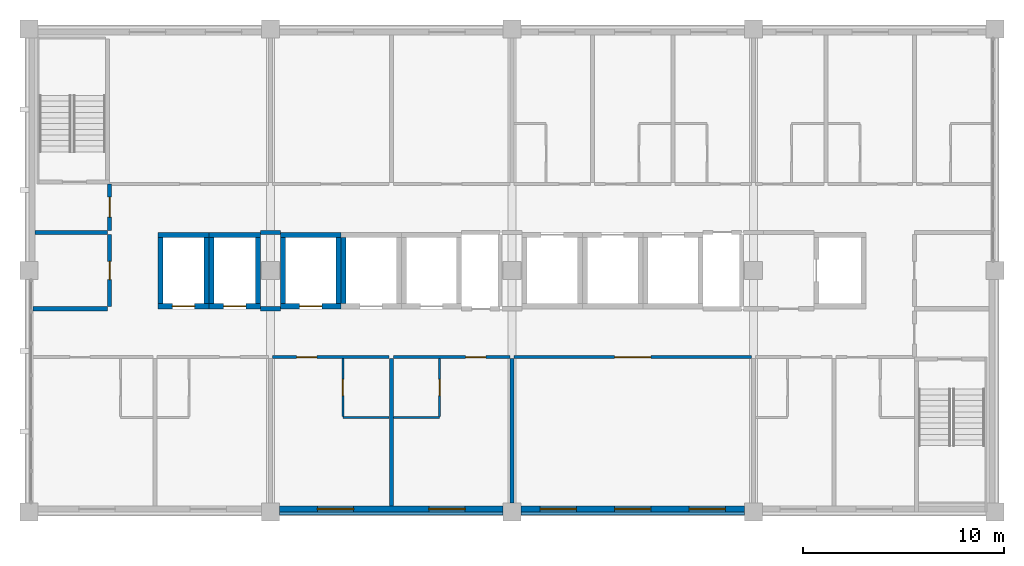
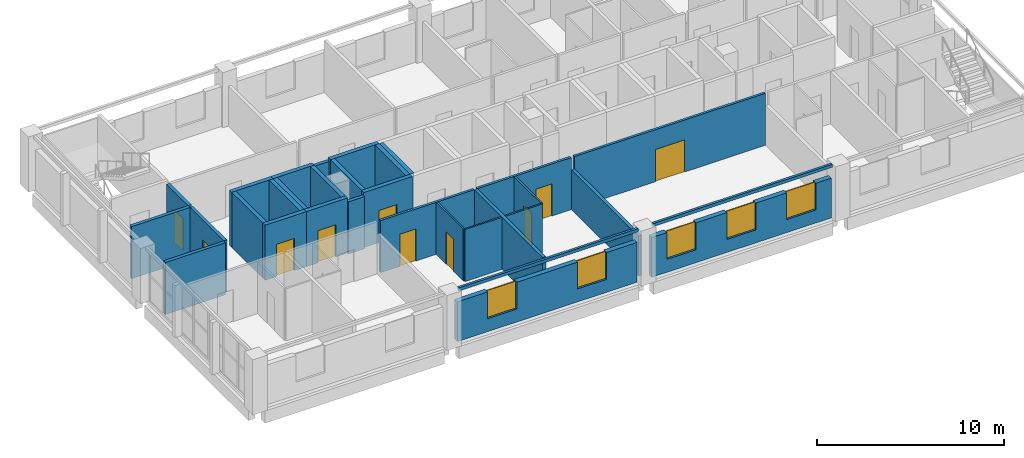
# One storey, part 6 of 11: 32 walls, 10 doors, 5 windows, 15 openings.
"""IFC4 building model written with IfcOpenShell, lengths in metres."""

from ifc_helpers import new_model, si_unit, direction, frame, frame_2d, origin, place, context, subcontext, project, spatial, rectangle, extrude, material, layer, layer_set, type_object, element, fill, save


model = new_model("IFC4")

# Units and contexts
model_context = context("Model", 3, precision=1e-05, world=origin(), true_north=direction((0.0, 1.0)))
body_context = subcontext(model_context, "Body", "Model", "MODEL_VIEW")
ifc_project = project(units=[si_unit("LENGTHUNIT", "METRE"), si_unit("AREAUNIT", "SQUARE_METRE"), si_unit("VOLUMEUNIT", "CUBIC_METRE"), si_unit("PLANEANGLEUNIT", "RADIAN"), si_unit("MASSUNIT", "GRAM", prefix="KILO")], contexts=[model_context])

# Site, building, storey
site_placement = place(None, origin())
site = spatial("IfcSite", under=ifc_project, at=site_placement, CompositionType="ELEMENT")
building_placement = place(site_placement, origin())
building = spatial("IfcBuilding", under=site, at=building_placement, Name="Lilac Gate Convention Centre", CompositionType="ELEMENT")
storey_placement = place(building_placement, frame((0.0, 0.0, 31.800048828125)))
storey = spatial("IfcBuildingStorey", under=building, at=storey_placement, Name="L07", CompositionType="ELEMENT", Elevation=31.800048828125)

# Wall, opening, door
ifc_material_1 = material(Name="Concrete C50", Category="concrete")
ifc_layer_1 = layer(ifc_material_1, 0.25)
ifc_layer_set_1 = layer_set([ifc_layer_1], Name="Concrete C50")
wall_type_1 = type_object("IfcWallType", Name="Core wall 250 C50", PredefinedType="SHEAR", material=ifc_layer_set_1)
wall_1_placement = place(storey_placement, frame((54.5, 232.22509765625, 0.0), z_axis=(0.0, 0.0, 1.0), x_axis=(1.0, 0.0, 0.0)))
wall_1 = element("IfcWall", 1, at=wall_1_placement, inside=storey, type_object=wall_type_1, Name="CRW4 core wall TC L07 1", PredefinedType="SHEAR", context=body_context, shape_type="SweptSolid", body=[
    extrude(rectangle(XDim=3.0, YDim=0.25, at=frame_2d((1.5, 0.0))), origin(), (0.0, 0.0, 1.0), 3.599853515625),
])
opening_1_placement = place(wall_1_placement, frame((0.949951171875, 0.0, 0.0)))
opening_1 = element("IfcOpeningElement", 2, at=opening_1_placement, cuts=wall_1, Name="Opening T07-036", PredefinedType="OPENING", context=body_context, shape_type="SweptSolid", body=[
    extrude(rectangle(XDim=1.10009765625, YDim=2.10009765625, at=frame_2d((0.550048828125, 1.050048828125))), frame((0.0, 0.135009765625, 0.0), z_axis=(0.0, -1.0, 0.0), x_axis=(1.0, 0.0, 0.0)), (0.0, 0.0, 1.0), 0.27001953125),
])
ifc_material_2 = material(Name="Stainless steel 304", Category="steel")
door_type_1 = type_object("IfcDoorType", Name="Lift landing door 1100", OperationType="SLIDING_TO_LEFT", PredefinedType="DOOR", material=ifc_material_2)
door_1_placement = place(opening_1_placement, origin())
door_1 = element("IfcDoor", 3, at=door_1_placement, inside=storey, type_object=door_type_1, Name="Lift landing door TP1 L07", OperationType="SLIDING_TO_LEFT", OverallHeight=2.10009765625, OverallWidth=1.10009765625, PredefinedType="DOOR", context=body_context, shape_type="SweptSolid", body=[
    extrude(rectangle(XDim=1.10009765625, YDim=2.10009765625, at=frame_2d((0.550048828125, 1.050048828125))), frame((0.0, 0.02490234375, 0.0), z_axis=(0.0, -1.0, 0.0), x_axis=(1.0, 0.0, 0.0)), (0.0, 0.0, 1.0), 0.050048828125),
])
fill(opening_1, door_1)

# Walls
wall_2_placement = place(storey_placement, frame((54.5, 235.77490234375, 0.0), z_axis=(0.0, 0.0, 1.0), x_axis=(1.0, 0.0, 0.0)))
element("IfcWall", 4, at=wall_2_placement, inside=storey, type_object=wall_type_1, Name="CRW4 core wall TC L07 2", PredefinedType="SHEAR", context=body_context, shape_type="SweptSolid", body=[
    extrude(rectangle(XDim=3.0, YDim=0.25, at=frame_2d((1.5, 0.0))), origin(), (0.0, 0.0, 1.0), 3.599853515625),
])
for number, where, z_axis, x_axis, name in (
    (5, (54.625, 232.35009765625, 0.0), (0.0, 0.0, 1.0), (0.0, 1.0, 0.0), "CRW4 core wall TC L07 3"),
    (6, (57.375, 232.35009765625, 0.0), (0.0, 0.0, 1.0), (0.0, 1.0, 0.0), "CRW4 core wall TC L07 4"),
    (7, (57.625, 232.35009765625, 0.0), (0.0, 0.0, 1.0), (0.0, 1.0, 0.0), "CRW4 core wall TC L07 7"),
):
    element("IfcWall", number, at=place(storey_placement, frame(where, z_axis=z_axis, x_axis=x_axis)), inside=storey, type_object=wall_type_1, Name=name, PredefinedType="SHEAR", context=body_context, shape_type="SweptSolid", body=[
        extrude(rectangle(XDim=3.2998046875, YDim=0.25, at=frame_2d((1.64990234375, 0.0))), origin(), (0.0, 0.0, 1.0), 3.599853515625),
    ])

# Wall, opening, door
wall_3_placement = place(storey_placement, frame((48.39990234375, 232.22509765625, 0.0), z_axis=(0.0, 0.0, 1.0), x_axis=(1.0, 0.0, 0.0)))
wall_3 = element("IfcWall", 8, at=wall_3_placement, inside=storey, type_object=wall_type_1, Name="CRW4 core wall TC L07 25", PredefinedType="SHEAR", context=body_context, shape_type="SweptSolid", body=[
    extrude(rectangle(XDim=2.550048828125, YDim=0.25, at=frame_2d((1.27490234375, 0.0))), origin(), (0.0, 0.0, 1.0), 3.599853515625),
])
opening_2_placement = place(wall_3_placement, frame((0.72509765625, 0.0, 0.0)))
opening_2 = element("IfcOpeningElement", 9, at=opening_2_placement, cuts=wall_3, Name="Opening T07-042", PredefinedType="OPENING", context=body_context, shape_type="SweptSolid", body=[
    extrude(rectangle(XDim=1.10009765625, YDim=2.10009765625, at=frame_2d((0.550048828125, 1.050048828125))), frame((0.0, 0.135009765625, 0.0), z_axis=(0.0, -1.0, 0.0), x_axis=(1.0, 0.0, 0.0)), (0.0, 0.0, 1.0), 0.27001953125),
])
door_2_placement = place(opening_2_placement, origin())
door_2 = element("IfcDoor", 10, at=door_2_placement, inside=storey, type_object=door_type_1, Name="Lift landing door TS1 L07", OperationType="SLIDING_TO_LEFT", OverallHeight=2.10009765625, OverallWidth=1.10009765625, PredefinedType="DOOR", context=body_context, shape_type="SweptSolid", body=[
    extrude(rectangle(XDim=1.10009765625, YDim=2.10009765625, at=frame_2d((0.550048828125, 1.050048828125))), frame((0.0, 0.02490234375, 0.0), z_axis=(0.0, -1.0, 0.0), x_axis=(1.0, 0.0, 0.0)), (0.0, 0.0, 1.0), 0.050048828125),
])
fill(opening_2, door_2)

# Walls
wall_4_placement = place(storey_placement, frame((48.39990234375, 235.77490234375, 0.0), z_axis=(0.0, 0.0, 1.0), x_axis=(1.0, 0.0, 0.0)))
element("IfcWall", 11, at=wall_4_placement, inside=storey, type_object=wall_type_1, Name="CRW4 core wall TC L07 26", PredefinedType="SHEAR", context=body_context, shape_type="SweptSolid", body=[
    extrude(rectangle(XDim=2.550048828125, YDim=0.25, at=frame_2d((1.27490234375, 0.0))), origin(), (0.0, 0.0, 1.0), 3.599853515625),
])
for number, where, z_axis, x_axis, name in (
    (12, (48.52490234375, 232.35009765625, 0.0), (0.0, 0.0, 1.0), (0.0, 1.0, 0.0), "CRW4 core wall TC L07 27"),
    (13, (50.824951171875, 232.35009765625, 0.0), (0.0, 0.0, 1.0), (0.0, 1.0, 0.0), "CRW4 core wall TC L07 28"),
):
    element("IfcWall", number, at=place(storey_placement, frame(where, z_axis=z_axis, x_axis=x_axis)), inside=storey, type_object=wall_type_1, Name=name, PredefinedType="SHEAR", context=body_context, shape_type="SweptSolid", body=[
        extrude(rectangle(XDim=3.2998046875, YDim=0.25, at=frame_2d((1.64990234375, 0.0))), origin(), (0.0, 0.0, 1.0), 3.599853515625),
    ])

# Wall, opening, door
wall_5_placement = place(storey_placement, frame((50.949951171875, 232.22509765625, 0.0), z_axis=(0.0, 0.0, 1.0), x_axis=(1.0, 0.0, 0.0)))
wall_5 = element("IfcWall", 14, at=wall_5_placement, inside=storey, type_object=wall_type_1, Name="CRW4 core wall TC L07 29", PredefinedType="SHEAR", context=body_context, shape_type="SweptSolid", body=[
    extrude(rectangle(XDim=2.550048828125, YDim=0.25, at=frame_2d((1.27490234375, 0.0))), origin(), (0.0, 0.0, 1.0), 3.599853515625),
])
opening_3_placement = place(wall_5_placement, frame((0.72509765625, 0.0, 0.0)))
opening_3 = element("IfcOpeningElement", 15, at=opening_3_placement, cuts=wall_5, Name="Opening T07-043", PredefinedType="OPENING", context=body_context, shape_type="SweptSolid", body=[
    extrude(rectangle(XDim=1.10009765625, YDim=2.10009765625, at=frame_2d((0.550048828125, 1.050048828125))), frame((0.0, 0.135009765625, 0.0), z_axis=(0.0, -1.0, 0.0), x_axis=(1.0, 0.0, 0.0)), (0.0, 0.0, 1.0), 0.27001953125),
])
door_3_placement = place(opening_3_placement, origin())
door_3 = element("IfcDoor", 16, at=door_3_placement, inside=storey, type_object=door_type_1, Name="Lift landing door TS2 L07", OperationType="SLIDING_TO_LEFT", OverallHeight=2.10009765625, OverallWidth=1.10009765625, PredefinedType="DOOR", context=body_context, shape_type="SweptSolid", body=[
    extrude(rectangle(XDim=1.10009765625, YDim=2.10009765625, at=frame_2d((0.550048828125, 1.050048828125))), frame((0.0, 0.02490234375, 0.0), z_axis=(0.0, -1.0, 0.0), x_axis=(1.0, 0.0, 0.0)), (0.0, 0.0, 1.0), 0.050048828125),
])
fill(opening_3, door_3)

# Walls
wall_6_placement = place(storey_placement, frame((50.949951171875, 235.77490234375, 0.0), z_axis=(0.0, 0.0, 1.0), x_axis=(1.0, 0.0, 0.0)))
element("IfcWall", 17, at=wall_6_placement, inside=storey, type_object=wall_type_1, Name="CRW4 core wall TC L07 30", PredefinedType="SHEAR", context=body_context, shape_type="SweptSolid", body=[
    extrude(rectangle(XDim=2.550048828125, YDim=0.25, at=frame_2d((1.27490234375, 0.0))), origin(), (0.0, 0.0, 1.0), 3.599853515625),
])
for number, where, z_axis, x_axis, name in (
    (18, (51.074951171875, 232.35009765625, 0.0), (0.0, 0.0, 1.0), (0.0, 1.0, 0.0), "CRW4 core wall TC L07 31"),
    (19, (53.375, 232.35009765625, 0.0), (0.0, 0.0, 1.0), (0.0, 1.0, 0.0), "CRW4 core wall TC L07 32"),
):
    element("IfcWall", number, at=place(storey_placement, frame(where, z_axis=z_axis, x_axis=x_axis)), inside=storey, type_object=wall_type_1, Name=name, PredefinedType="SHEAR", context=body_context, shape_type="SweptSolid", body=[
        extrude(rectangle(XDim=3.2998046875, YDim=0.25, at=frame_2d((1.64990234375, 0.0))), origin(), (0.0, 0.0, 1.0), 3.599853515625),
    ])

# Wall, opening, door
ifc_material_3 = material(Name="Gypsum board on steel stud", Category="steel")
ifc_layer_2 = layer(ifc_material_3, 0.14990234375)
ifc_layer_set_2 = layer_set([ifc_layer_2], Name="Gypsum board on steel stud")
wall_type_2 = type_object("IfcWallType", Name="Corridor wall 150", PredefinedType="PARTITIONING", material=ifc_layer_set_2)
wall_7_placement = place(storey_placement, frame((59.89990234375, 229.699951171875, 0.0), z_axis=(0.0, 0.0, 1.0), x_axis=(-1.0, 0.0, 0.0)))
wall_7 = element("IfcWall", 20, at=wall_7_placement, inside=storey, type_object=wall_type_2, Name="Corridor wall 150 front 0703", PredefinedType="PARTITIONING", context=body_context, shape_type="SweptSolid", body=[
    extrude(rectangle(XDim=5.7998046875, YDim=0.14990234375, at=frame_2d((2.89990234375, 0.0))), origin(), (0.0, 0.0, 1.0), 3.39990234375),
])
opening_4_placement = place(wall_7_placement, frame((3.60009765625, 0.0, 0.0)))
opening_4 = element("IfcOpeningElement", 21, at=opening_4_placement, cuts=wall_7, Name="Opening T07-012", PredefinedType="OPENING", context=body_context, shape_type="SweptSolid", body=[
    extrude(rectangle(XDim=1.0, YDim=2.10009765625, at=frame_2d((0.5, 1.050048828125))), frame((0.0, 0.0849609375, 0.0), z_axis=(0.0, -1.0, 0.0), x_axis=(1.0, 0.0, 0.0)), (0.0, 0.0, 1.0), 0.169921875),
])
ifc_material_4 = material(Name="Timber", Category="wood")
door_type_2 = type_object("IfcDoorType", Name="Guest room entrance door 1000", OperationType="SINGLE_SWING_LEFT", PredefinedType="DOOR", material=ifc_material_4)
door_4_placement = place(opening_4_placement, origin())
door_4 = element("IfcDoor", 22, at=door_4_placement, inside=storey, type_object=door_type_2, Name="Guest room door 0703", OperationType="SINGLE_SWING_RIGHT", OverallHeight=2.10009765625, OverallWidth=1.0, PredefinedType="DOOR", context=body_context, shape_type="SweptSolid", body=[
    extrude(rectangle(XDim=1.0, YDim=2.10009765625, at=frame_2d((0.5, 1.050048828125))), frame((0.0, 0.02490234375, 0.0), z_axis=(0.0, -1.0, 0.0), x_axis=(1.0, 0.0, 0.0)), (0.0, 0.0, 1.0), 0.050048828125),
])
fill(opening_4, door_4)

wall_8_placement = place(storey_placement, frame((65.89990234375, 229.699951171875, 0.0), z_axis=(0.0, 0.0, 1.0), x_axis=(-1.0, 0.0, 0.0)))
wall_8 = element("IfcWall", 23, at=wall_8_placement, inside=storey, type_object=wall_type_2, Name="Corridor wall 150 front 0704", PredefinedType="PARTITIONING", context=body_context, shape_type="SweptSolid", body=[
    extrude(rectangle(XDim=5.7998046875, YDim=0.14990234375, at=frame_2d((2.89990234375, 0.0))), origin(), (0.0, 0.0, 1.0), 3.39990234375),
])
opening_5_placement = place(wall_8_placement, frame((1.199951171875, 0.0, 0.0)))
opening_5 = element("IfcOpeningElement", 24, at=opening_5_placement, cuts=wall_8, Name="Opening T07-014", PredefinedType="OPENING", context=body_context, shape_type="SweptSolid", body=[
    extrude(rectangle(XDim=1.0, YDim=2.10009765625, at=frame_2d((0.5, 1.050048828125))), frame((0.0, 0.0849609375, 0.0), z_axis=(0.0, -1.0, 0.0), x_axis=(1.0, 0.0, 0.0)), (0.0, 0.0, 1.0), 0.169921875),
])
door_5_placement = place(opening_5_placement, origin())
door_5 = element("IfcDoor", 25, at=door_5_placement, inside=storey, type_object=door_type_2, Name="Guest room door 0704", OperationType="SINGLE_SWING_LEFT", OverallHeight=2.10009765625, OverallWidth=1.0, PredefinedType="DOOR", context=body_context, shape_type="SweptSolid", body=[
    extrude(rectangle(XDim=1.0, YDim=2.10009765625, at=frame_2d((0.5, 1.050048828125))), frame((0.0, 0.02490234375, 0.0), z_axis=(0.0, -1.0, 0.0), x_axis=(1.0, 0.0, 0.0)), (0.0, 0.0, 1.0), 0.050048828125),
])
fill(opening_5, door_5)

wall_9_placement = place(storey_placement, frame((77.89990234375, 229.699951171875, 0.0), z_axis=(0.0, 0.0, 1.0), x_axis=(-1.0, 0.0, 0.0)))
wall_9 = element("IfcWall", 26, at=wall_9_placement, inside=storey, type_object=wall_type_2, Name="Corridor wall 150 front 0705", PredefinedType="PARTITIONING", context=body_context, shape_type="SweptSolid", body=[
    extrude(rectangle(XDim=11.7998046875, YDim=0.14990234375, at=frame_2d((5.89990234375, 0.0))), origin(), (0.0, 0.0, 1.0), 3.39990234375),
])
opening_6_placement = place(wall_9_placement, frame((5.0, 0.0, 0.0)))
opening_6 = element("IfcOpeningElement", 27, at=opening_6_placement, cuts=wall_9, Name="Opening T07-016", PredefinedType="OPENING", context=body_context, shape_type="SweptSolid", body=[
    extrude(rectangle(XDim=1.800048828125, YDim=2.10009765625, at=frame_2d((0.89990234375, 1.050048828125))), frame((0.0, 0.0849609375, 0.0), z_axis=(0.0, -1.0, 0.0), x_axis=(1.0, 0.0, 0.0)), (0.0, 0.0, 1.0), 0.169921875),
])
door_type_3 = type_object("IfcDoorType", Name="Double room door 1800", OperationType="DOUBLE_DOOR_SINGLE_SWING", PredefinedType="DOOR", material=ifc_material_4)
door_6_placement = place(opening_6_placement, origin())
door_6 = element("IfcDoor", 28, at=door_6_placement, inside=storey, type_object=door_type_3, Name="Club Lounge door", OperationType="DOUBLE_DOOR_SINGLE_SWING", OverallHeight=2.10009765625, OverallWidth=1.800048828125, PredefinedType="DOOR", context=body_context, shape_type="SweptSolid", body=[
    extrude(rectangle(XDim=1.800048828125, YDim=2.10009765625, at=frame_2d((0.89990234375, 1.050048828125))), frame((0.0, 0.02490234375, 0.0), z_axis=(0.0, -1.0, 0.0), x_axis=(1.0, 0.0, 0.0)), (0.0, 0.0, 1.0), 0.050048828125),
])
fill(opening_6, door_6)

# Wall
ifc_layer_3 = layer(ifc_material_3, 0.10009765625)
ifc_layer_set_3 = layer_set([ifc_layer_3], Name="Gypsum board on steel stud")
wall_type_3 = type_object("IfcWallType", Name="En-suite wall 100", PredefinedType="PARTITIONING", material=ifc_layer_set_3)
wall_10_placement = place(storey_placement, frame((57.60009765625, 226.699951171875, 0.0), z_axis=(0.0, 0.0, 1.0), x_axis=(1.0, 0.0, 0.0)))
element("IfcWall", 29, at=wall_10_placement, inside=storey, type_object=wall_type_3, Name="En-suite wall 100 bath 0703", PredefinedType="PARTITIONING", context=body_context, shape_type="SweptSolid", body=[
    extrude(rectangle(XDim=2.2998046875, YDim=0.10009765625, at=frame_2d((1.14990234375, 0.0))), origin(), (0.0, 0.0, 1.0), 3.39990234375),
])

# Wall, opening, door
wall_11_placement = place(storey_placement, frame((57.60009765625, 226.75, 0.0), z_axis=(0.0, 0.0, 1.0), x_axis=(0.0, 1.0, 0.0)))
wall_11 = element("IfcWall", 30, at=wall_11_placement, inside=storey, type_object=wall_type_3, Name="En-suite wall 100 bath side 0703", PredefinedType="PARTITIONING", context=body_context, shape_type="SweptSolid", body=[
    extrude(rectangle(XDim=2.875, YDim=0.10009765625, at=frame_2d((1.4375, 0.0))), origin(), (0.0, 0.0, 1.0), 3.39990234375),
])
opening_7_placement = place(wall_11_placement, frame((1.03759765625, 0.0, 0.0)))
opening_7 = element("IfcOpeningElement", 31, at=opening_7_placement, cuts=wall_11, Name="Opening T07-013", PredefinedType="OPENING", context=body_context, shape_type="SweptSolid", body=[
    extrude(rectangle(XDim=0.800048828125, YDim=2.10009765625, at=frame_2d((0.39990234375, 1.050048828125))), frame((0.0, 0.06005859375, 0.0), z_axis=(0.0, -1.0, 0.0), x_axis=(1.0, 0.0, 0.0)), (0.0, 0.0, 1.0), 0.1201171875),
])
door_type_4 = type_object("IfcDoorType", Name="En-suite door 800", OperationType="SINGLE_SWING_LEFT", PredefinedType="DOOR", material=ifc_material_4)
door_7_placement = place(opening_7_placement, origin())
door_7 = element("IfcDoor", 32, at=door_7_placement, inside=storey, type_object=door_type_4, Name="En-suite door 0703", OperationType="SINGLE_SWING_RIGHT", OverallHeight=2.10009765625, OverallWidth=0.800048828125, PredefinedType="DOOR", context=body_context, shape_type="SweptSolid", body=[
    extrude(rectangle(XDim=0.800048828125, YDim=2.10009765625, at=frame_2d((0.39990234375, 1.050048828125))), frame((0.0, 0.02490234375, 0.0), z_axis=(0.0, -1.0, 0.0), x_axis=(1.0, 0.0, 0.0)), (0.0, 0.0, 1.0), 0.050048828125),
])
fill(opening_7, door_7)

# Wall
wall_12_placement = place(storey_placement, frame((60.10009765625, 226.699951171875, 0.0), z_axis=(0.0, 0.0, 1.0), x_axis=(1.0, 0.0, 0.0)))
element("IfcWall", 33, at=wall_12_placement, inside=storey, type_object=wall_type_3, Name="En-suite wall 100 bath 0704", PredefinedType="PARTITIONING", context=body_context, shape_type="SweptSolid", body=[
    extrude(rectangle(XDim=2.2998046875, YDim=0.10009765625, at=frame_2d((1.14990234375, 0.0))), origin(), (0.0, 0.0, 1.0), 3.39990234375),
])

# Wall, opening, door
wall_13_placement = place(storey_placement, frame((62.39990234375, 229.625, 0.0), z_axis=(0.0, 0.0, 1.0), x_axis=(0.0, -1.0, 0.0)))
wall_13 = element("IfcWall", 34, at=wall_13_placement, inside=storey, type_object=wall_type_3, Name="En-suite wall 100 bath side 0704", PredefinedType="PARTITIONING", context=body_context, shape_type="SweptSolid", body=[
    extrude(rectangle(XDim=2.875, YDim=0.10009765625, at=frame_2d((1.4375, 0.0))), origin(), (0.0, 0.0, 1.0), 3.39990234375),
])
opening_8_placement = place(wall_13_placement, frame((1.03759765625, 0.0, 0.0)))
opening_8 = element("IfcOpeningElement", 35, at=opening_8_placement, cuts=wall_13, Name="Opening T07-015", PredefinedType="OPENING", context=body_context, shape_type="SweptSolid", body=[
    extrude(rectangle(XDim=0.800048828125, YDim=2.10009765625, at=frame_2d((0.39990234375, 1.050048828125))), frame((0.0, 0.06005859375, 0.0), z_axis=(0.0, -1.0, 0.0), x_axis=(1.0, 0.0, 0.0)), (0.0, 0.0, 1.0), 0.1201171875),
])
door_8_placement = place(opening_8_placement, origin())
door_8 = element("IfcDoor", 36, at=door_8_placement, inside=storey, type_object=door_type_4, Name="En-suite door 0704", OperationType="SINGLE_SWING_LEFT", OverallHeight=2.10009765625, OverallWidth=0.800048828125, PredefinedType="DOOR", context=body_context, shape_type="SweptSolid", body=[
    extrude(rectangle(XDim=0.800048828125, YDim=2.10009765625, at=frame_2d((0.39990234375, 1.050048828125))), frame((0.0, 0.02490234375, 0.0), z_axis=(0.0, -1.0, 0.0), x_axis=(1.0, 0.0, 0.0)), (0.0, 0.0, 1.0), 0.050048828125),
])
fill(opening_8, door_8)

# Walls
ifc_layer_4 = layer(ifc_material_3, 0.199951171875)
ifc_layer_set_4 = layer_set([ifc_layer_4], Name="Gypsum board on steel stud")
wall_type_4 = type_object("IfcWallType", Name="Guest room party wall 200", PredefinedType="PARTITIONING", material=ifc_layer_set_4)
wall_14_placement = place(storey_placement, frame((60.0, 222.2998046875, 0.0), z_axis=(0.0, 0.0, 1.0), x_axis=(0.0, 1.0, 0.0)))
element("IfcWall", 37, at=wall_14_placement, inside=storey, type_object=wall_type_4, Name="Guest room party wall 200 party 60.0", PredefinedType="PARTITIONING", context=body_context, shape_type="SweptSolid", body=[
    extrude(rectangle(XDim=7.3251953125, YDim=0.199951171875, at=frame_2d((3.66259765625, 0.0))), origin(), (0.0, 0.0, 1.0), 3.39990234375),
])
wall_15_placement = place(storey_placement, frame((66.0, 222.449951171875, 0.0), z_axis=(0.0, 0.0, 1.0), x_axis=(0.0, 1.0, 0.0)))
element("IfcWall", 38, at=wall_15_placement, inside=storey, type_object=wall_type_4, Name="Guest room party wall 200 party 66.0", PredefinedType="PARTITIONING", context=body_context, shape_type="SweptSolid", body=[
    extrude(rectangle(XDim=7.175048828125, YDim=0.199951171875, at=frame_2d((3.58740234375, 0.0))), origin(), (0.0, 0.0, 1.0), 2.599853515625),
])

# Wall, opening, door
ifc_layer_5 = layer(ifc_material_3, 0.199951171875)
ifc_layer_set_5 = layer_set([ifc_layer_5], Name="Gypsum board on steel stud")
wall_type_5 = type_object("IfcWallType", Name="Lobby wall 200", PredefinedType="PARTITIONING", material=ifc_layer_set_5)
wall_16_placement = place(storey_placement, frame((46.0, 236.0, 0.0), z_axis=(0.0, 0.0, 1.0), x_axis=(0.0, 1.0, 0.0)))
wall_16 = element("IfcWall", 39, at=wall_16_placement, inside=storey, type_object=wall_type_5, Name="Lobby wall 200 STL-NW-E", PredefinedType="PARTITIONING", context=body_context, shape_type="SweptSolid", body=[
    extrude(rectangle(XDim=2.300048828125, YDim=0.199951171875, at=frame_2d((1.14990234375, 0.0))), origin(), (0.0, 0.0, 1.0), 3.39990234375),
])
opening_9_placement = place(wall_16_placement, frame((0.64990234375, 0.0, 0.0)))
opening_9 = element("IfcOpeningElement", 40, at=opening_9_placement, cuts=wall_16, Name="Opening T07-006", PredefinedType="OPENING", context=body_context, shape_type="SweptSolid", body=[
    extrude(rectangle(XDim=1.0, YDim=2.10009765625, at=frame_2d((0.5, 1.050048828125))), frame((0.0, 0.10986328125, 0.0), z_axis=(0.0, -1.0, 0.0), x_axis=(1.0, 0.0, 0.0)), (0.0, 0.0, 1.0), 0.219970703125),
])
ifc_material_5 = material(Name="Steel Q235B", Category="steel")
door_type_5 = type_object("IfcDoorType", Name="Lobby door 1000", OperationType="SINGLE_SWING_LEFT", PredefinedType="DOOR", material=ifc_material_5)
door_9_placement = place(opening_9_placement, origin())
door_9 = element("IfcDoor", 41, at=door_9_placement, inside=storey, type_object=door_type_5, Name="Stair lobby door NW", OperationType="SINGLE_SWING_LEFT", OverallHeight=2.10009765625, OverallWidth=1.0, PredefinedType="DOOR", context=body_context, shape_type="SweptSolid", body=[
    extrude(rectangle(XDim=1.0, YDim=2.10009765625, at=frame_2d((0.5, 1.050048828125))), frame((0.0, 0.02490234375, 0.0), z_axis=(0.0, -1.0, 0.0), x_axis=(1.0, 0.0, 0.0)), (0.0, 0.0, 1.0), 0.050048828125),
])
fill(opening_9, door_9)

# Walls
ifc_material_6 = material(Name="Concrete C40 precast", Category="concrete")
ifc_layer_6 = layer(ifc_material_6, 0.1298828125)
ifc_material_7 = material(Name="Terracotta glazed cladding", Category="masonry")
ifc_layer_7 = layer(ifc_material_7, 0.02001953125)
ifc_layer_set_6 = layer_set([ifc_layer_6, ifc_layer_7], Name="Concrete C40 precast, Terracotta glazed cladding")
wall_type_6 = type_object("IfcWallType", Name="Precast band terracotta 150", PredefinedType="STANDARD", material=ifc_layer_set_6)
for number, where, z_axis, x_axis, name in (
    (42, (54.449951171875, 221.925048828125, 3.39990234375), (0.0, 0.0, 1.0), (1.0, 0.0, 0.0), "Precast band S L07 2"),
    (43, (66.449951171875, 221.925048828125, 3.39990234375), (0.0, 0.0, 1.0), (1.0, 0.0, 0.0), "Precast band S L07 3"),
):
    element("IfcWall", number, at=place(storey_placement, frame(where, z_axis=z_axis, x_axis=x_axis)), inside=storey, type_object=wall_type_6, Name=name, PredefinedType="STANDARD", context=body_context, shape_type="SweptSolid", body=[
        extrude(rectangle(XDim=11.10009765625, YDim=0.14990234375, at=frame_2d((5.550048828125, 0.0))), origin(), (0.0, 0.0, 1.0), 0.199951171875),
    ])

# Wall, openings, windows
ifc_layer_8 = layer(ifc_material_7, 0.02001953125)
ifc_layer_9 = layer(ifc_material_6, 0.06005859375)
ifc_material_8 = material(Name="Ventilated air cavity")
ifc_layer_10 = layer(ifc_material_8, 0.030029296875)
ifc_material_9 = material(Name="Mineral wool insulation")
ifc_layer_11 = layer(ifc_material_9, 0.1201171875)
ifc_material_10 = material(Name="Steel stud Q345 and gypsum lining", Category="steel")
ifc_layer_12 = layer(ifc_material_10, 0.070068359375)
ifc_layer_set_7 = layer_set([ifc_layer_8, ifc_layer_9, ifc_layer_10, ifc_layer_11, ifc_layer_12], Name="Terracotta glazed cladding, Concrete C40 precast, Ventilated air cavity, Mineral wool insulation, Steel stud Q345 and gypsum lining")
wall_type_7 = type_object("IfcWallType", Name="Precast panel wall terracotta 300", PredefinedType="STANDARD", material=ifc_layer_set_7)
wall_17_placement = place(storey_placement, frame((54.449951171875, 222.14990234375, 0.0), z_axis=(0.0, 0.0, 1.0), x_axis=(1.0, 0.0, 0.0)))
wall_17 = element("IfcWall", 44, at=wall_17_placement, inside=storey, type_object=wall_type_7, Name="External wall S L07 2", PredefinedType="STANDARD", context=body_context, shape_type="SweptSolid", body=[
    extrude(rectangle(XDim=11.10009765625, YDim=0.300048828125, at=frame_2d((5.550048828125, 0.0))), origin(), (0.0, 0.0, 1.0), 2.599853515625),
])
opening_10_placement = place(wall_17_placement, frame((1.875, 0.0, 0.85009765625)))
opening_10 = element("IfcOpeningElement", 45, at=opening_10_placement, cuts=wall_17, Name="Opening W1", PredefinedType="OPENING", context=body_context, shape_type="SweptSolid", body=[
    extrude(rectangle(XDim=1.800048828125, YDim=1.75, at=frame_2d((0.89990234375, 0.875))), frame((0.0, 0.159912109375, 0.0), z_axis=(0.0, -1.0, 0.0), x_axis=(1.0, 0.0, 0.0)), (0.0, 0.0, 1.0), 0.320068359375),
])
opening_11_placement = place(wall_17_placement, frame((7.425048828125, 0.0, 0.85009765625)))
opening_11 = element("IfcOpeningElement", 46, at=opening_11_placement, cuts=wall_17, Name="Opening W1", PredefinedType="OPENING", context=body_context, shape_type="SweptSolid", body=[
    extrude(rectangle(XDim=1.800048828125, YDim=1.75, at=frame_2d((0.89990234375, 0.875))), frame((0.0, 0.159912109375, 0.0), z_axis=(0.0, -1.0, 0.0), x_axis=(1.0, 0.0, 0.0)), (0.0, 0.0, 1.0), 0.320068359375),
])
ifc_material_11 = material(Name="Aluminium framed double glazing", Category="aluminium")
window_type = type_object("IfcWindowType", Name="Guest room window 1800 x 1750", PartitioningType="DOUBLE_PANEL_VERTICAL", PredefinedType="WINDOW", material=ifc_material_11)
window_1_placement = place(opening_10_placement, origin())
window_1 = element("IfcWindow", 47, at=window_1_placement, inside=storey, type_object=window_type, Name="Window Guest S L07", OverallHeight=1.75, OverallWidth=1.800048828125, PartitioningType="SINGLE_PANEL", PredefinedType="WINDOW", context=body_context, shape_type="SweptSolid", body=[
    extrude(rectangle(XDim=1.800048828125, YDim=1.75, at=frame_2d((0.89990234375, 0.875))), frame((0.0, 0.030029296875, 0.0), z_axis=(0.0, -1.0, 0.0), x_axis=(1.0, 0.0, 0.0)), (0.0, 0.0, 1.0), 0.06005859375),
])
fill(opening_10, window_1)
window_2_placement = place(opening_11_placement, origin())
window_2 = element("IfcWindow", 48, at=window_2_placement, inside=storey, type_object=window_type, Name="Window Guest S L07", OverallHeight=1.75, OverallWidth=1.800048828125, PartitioningType="SINGLE_PANEL", PredefinedType="WINDOW", context=body_context, shape_type="SweptSolid", body=[
    extrude(rectangle(XDim=1.800048828125, YDim=1.75, at=frame_2d((0.89990234375, 0.875))), frame((0.0, 0.030029296875, 0.0), z_axis=(0.0, -1.0, 0.0), x_axis=(1.0, 0.0, 0.0)), (0.0, 0.0, 1.0), 0.06005859375),
])
fill(opening_11, window_2)

wall_18_placement = place(storey_placement, frame((66.449951171875, 222.14990234375, 0.0), z_axis=(0.0, 0.0, 1.0), x_axis=(1.0, 0.0, 0.0)))
wall_18 = element("IfcWall", 49, at=wall_18_placement, inside=storey, type_object=wall_type_7, Name="External wall S L07 3", PredefinedType="STANDARD", context=body_context, shape_type="SweptSolid", body=[
    extrude(rectangle(XDim=11.10009765625, YDim=0.300048828125, at=frame_2d((5.550048828125, 0.0))), origin(), (0.0, 0.0, 1.0), 2.599853515625),
])
opening_12_placement = place(wall_18_placement, frame((0.949951171875, 0.0, 0.85009765625)))
opening_12 = element("IfcOpeningElement", 50, at=opening_12_placement, cuts=wall_18, Name="Opening W1", PredefinedType="OPENING", context=body_context, shape_type="SweptSolid", body=[
    extrude(rectangle(XDim=1.800048828125, YDim=1.75, at=frame_2d((0.89990234375, 0.875))), frame((0.0, 0.159912109375, 0.0), z_axis=(0.0, -1.0, 0.0), x_axis=(1.0, 0.0, 0.0)), (0.0, 0.0, 1.0), 0.320068359375),
])
opening_13_placement = place(wall_18_placement, frame((4.64990234375, 0.0, 0.85009765625)))
opening_13 = element("IfcOpeningElement", 51, at=opening_13_placement, cuts=wall_18, Name="Opening W1", PredefinedType="OPENING", context=body_context, shape_type="SweptSolid", body=[
    extrude(rectangle(XDim=1.800048828125, YDim=1.75, at=frame_2d((0.89990234375, 0.875))), frame((0.0, 0.159912109375, 0.0), z_axis=(0.0, -1.0, 0.0), x_axis=(1.0, 0.0, 0.0)), (0.0, 0.0, 1.0), 0.320068359375),
])
opening_14_placement = place(wall_18_placement, frame((8.35009765625, 0.0, 0.85009765625)))
opening_14 = element("IfcOpeningElement", 52, at=opening_14_placement, cuts=wall_18, Name="Opening W1", PredefinedType="OPENING", context=body_context, shape_type="SweptSolid", body=[
    extrude(rectangle(XDim=1.800048828125, YDim=1.75, at=frame_2d((0.89990234375, 0.875))), frame((0.0, 0.159912109375, 0.0), z_axis=(0.0, -1.0, 0.0), x_axis=(1.0, 0.0, 0.0)), (0.0, 0.0, 1.0), 0.320068359375),
])
window_3_placement = place(opening_12_placement, origin())
window_3 = element("IfcWindow", 53, at=window_3_placement, inside=storey, type_object=window_type, Name="Window Guest S L07", OverallHeight=1.75, OverallWidth=1.800048828125, PartitioningType="SINGLE_PANEL", PredefinedType="WINDOW", context=body_context, shape_type="SweptSolid", body=[
    extrude(rectangle(XDim=1.800048828125, YDim=1.75, at=frame_2d((0.89990234375, 0.875))), frame((0.0, 0.030029296875, 0.0), z_axis=(0.0, -1.0, 0.0), x_axis=(1.0, 0.0, 0.0)), (0.0, 0.0, 1.0), 0.06005859375),
])
fill(opening_12, window_3)
window_4_placement = place(opening_13_placement, origin())
window_4 = element("IfcWindow", 54, at=window_4_placement, inside=storey, type_object=window_type, Name="Window Guest S L07", OverallHeight=1.75, OverallWidth=1.800048828125, PartitioningType="SINGLE_PANEL", PredefinedType="WINDOW", context=body_context, shape_type="SweptSolid", body=[
    extrude(rectangle(XDim=1.800048828125, YDim=1.75, at=frame_2d((0.89990234375, 0.875))), frame((0.0, 0.030029296875, 0.0), z_axis=(0.0, -1.0, 0.0), x_axis=(1.0, 0.0, 0.0)), (0.0, 0.0, 1.0), 0.06005859375),
])
fill(opening_13, window_4)
window_5_placement = place(opening_14_placement, origin())
window_5 = element("IfcWindow", 55, at=window_5_placement, inside=storey, type_object=window_type, Name="Window Guest S L07", OverallHeight=1.75, OverallWidth=1.800048828125, PartitioningType="SINGLE_PANEL", PredefinedType="WINDOW", context=body_context, shape_type="SweptSolid", body=[
    extrude(rectangle(XDim=1.800048828125, YDim=1.75, at=frame_2d((0.89990234375, 0.875))), frame((0.0, 0.030029296875, 0.0), z_axis=(0.0, -1.0, 0.0), x_axis=(1.0, 0.0, 0.0)), (0.0, 0.0, 1.0), 0.06005859375),
])
fill(opening_14, window_5)

# Walls
ifc_layer_13 = layer(ifc_material_3, 0.199951171875)
ifc_layer_set_8 = layer_set([ifc_layer_13], Name="Gypsum board on steel stud")
wall_type_8 = type_object("IfcWallType", Name="Riser and store wall 200", PredefinedType="PARTITIONING", material=ifc_layer_set_8)
wall_19_placement = place(storey_placement, frame((42.2001953125, 232.10009765625, 0.0), z_axis=(0.0, 0.0, 1.0), x_axis=(1.0, 0.0, 0.0)))
element("IfcWall", 56, at=wall_19_placement, inside=storey, type_object=wall_type_8, Name="Riser and store wall 200 HKW-S", PredefinedType="PARTITIONING", context=body_context, shape_type="SweptSolid", body=[
    extrude(rectangle(XDim=3.69970703125, YDim=0.199951171875, at=frame_2d((1.849853515625, 0.0))), origin(), (0.0, 0.0, 1.0), 3.39990234375),
])
wall_20_placement = place(storey_placement, frame((53.5, 232.10009765625, 0.0), z_axis=(0.0, 0.0, 1.0), x_axis=(1.0, 0.0, 0.0)))
element("IfcWall", 57, at=wall_20_placement, inside=storey, type_object=wall_type_8, Name="Riser and store wall 200 NICHE1-S", PredefinedType="PARTITIONING", context=body_context, shape_type="SweptSolid", body=[
    extrude(rectangle(XDim=1.0, YDim=0.199951171875, at=frame_2d((0.5, 0.0))), origin(), (0.0, 0.0, 1.0), 3.39990234375),
])
wall_21_placement = place(storey_placement, frame((42.2998046875, 235.89990234375, 0.0), z_axis=(0.0, 0.0, 1.0), x_axis=(1.0, 0.0, 0.0)))
element("IfcWall", 58, at=wall_21_placement, inside=storey, type_object=wall_type_8, Name="Riser and store wall 200 HKW-N", PredefinedType="PARTITIONING", context=body_context, shape_type="SweptSolid", body=[
    extrude(rectangle(XDim=3.60009765625, YDim=0.199951171875, at=frame_2d((1.800048828125, 0.0))), origin(), (0.0, 0.0, 1.0), 3.39990234375),
])
wall_22_placement = place(storey_placement, frame((53.5, 235.89990234375, 0.0), z_axis=(0.0, 0.0, 1.0), x_axis=(1.0, 0.0, 0.0)))
element("IfcWall", 59, at=wall_22_placement, inside=storey, type_object=wall_type_8, Name="Riser and store wall 200 NICHE1-N", PredefinedType="PARTITIONING", context=body_context, shape_type="SweptSolid", body=[
    extrude(rectangle(XDim=1.0, YDim=0.199951171875, at=frame_2d((0.5, 0.0))), origin(), (0.0, 0.0, 1.0), 3.39990234375),
])

# Wall, opening, door
wall_23_placement = place(storey_placement, frame((46.0, 232.199951171875, 0.0), z_axis=(0.0, 0.0, 1.0), x_axis=(0.0, 1.0, 0.0)))
wall_23 = element("IfcWall", 60, at=wall_23_placement, inside=storey, type_object=wall_type_8, Name="Riser and store wall 200 HKW-E", PredefinedType="PARTITIONING", context=body_context, shape_type="SweptSolid", body=[
    extrude(rectangle(XDim=3.60009765625, YDim=0.199951171875, at=frame_2d((1.800048828125, 0.0))), origin(), (0.0, 0.0, 1.0), 3.39990234375),
])
opening_15_placement = place(wall_23_placement, frame((1.35009765625, 0.0, 0.0)))
opening_15 = element("IfcOpeningElement", 61, at=opening_15_placement, cuts=wall_23, Name="Opening T07-001", PredefinedType="OPENING", context=body_context, shape_type="SweptSolid", body=[
    extrude(rectangle(XDim=0.89990234375, YDim=2.10009765625, at=frame_2d((0.449951171875, 1.050048828125))), frame((0.0, 0.10986328125, 0.0), z_axis=(0.0, -1.0, 0.0), x_axis=(1.0, 0.0, 0.0)), (0.0, 0.0, 1.0), 0.219970703125),
])
door_type_6 = type_object("IfcDoorType", Name="Riser and store door 900", OperationType="SINGLE_SWING_LEFT", PredefinedType="DOOR", material=ifc_material_5)
door_10_placement = place(opening_15_placement, origin())
door_10 = element("IfcDoor", 62, at=door_10_placement, inside=storey, type_object=door_type_6, Name="Housekeeping door", OperationType="SINGLE_SWING_LEFT", OverallHeight=2.10009765625, OverallWidth=0.89990234375, PredefinedType="DOOR", context=body_context, shape_type="SweptSolid", body=[
    extrude(rectangle(XDim=0.89990234375, YDim=2.10009765625, at=frame_2d((0.449951171875, 1.050048828125))), frame((0.0, 0.02490234375, 0.0), z_axis=(0.0, -1.0, 0.0), x_axis=(1.0, 0.0, 0.0)), (0.0, 0.0, 1.0), 0.050048828125),
])
fill(opening_15, door_10)

save(model, "model.ifc")
